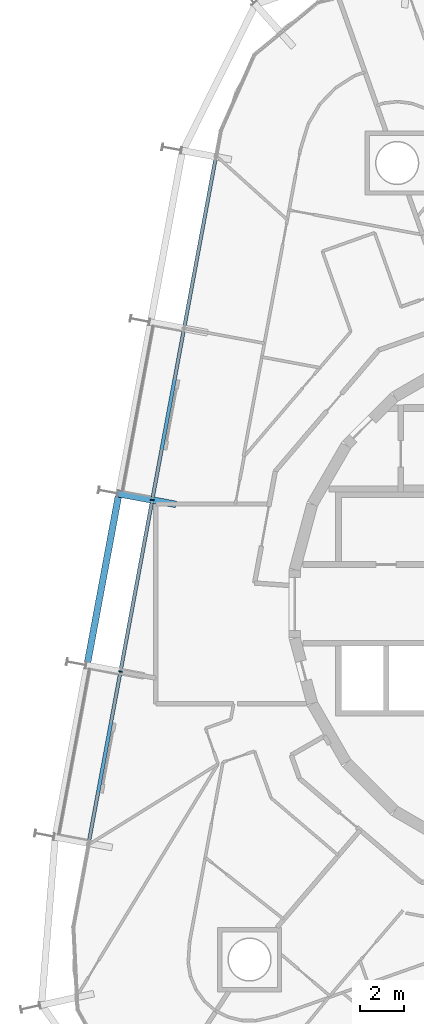
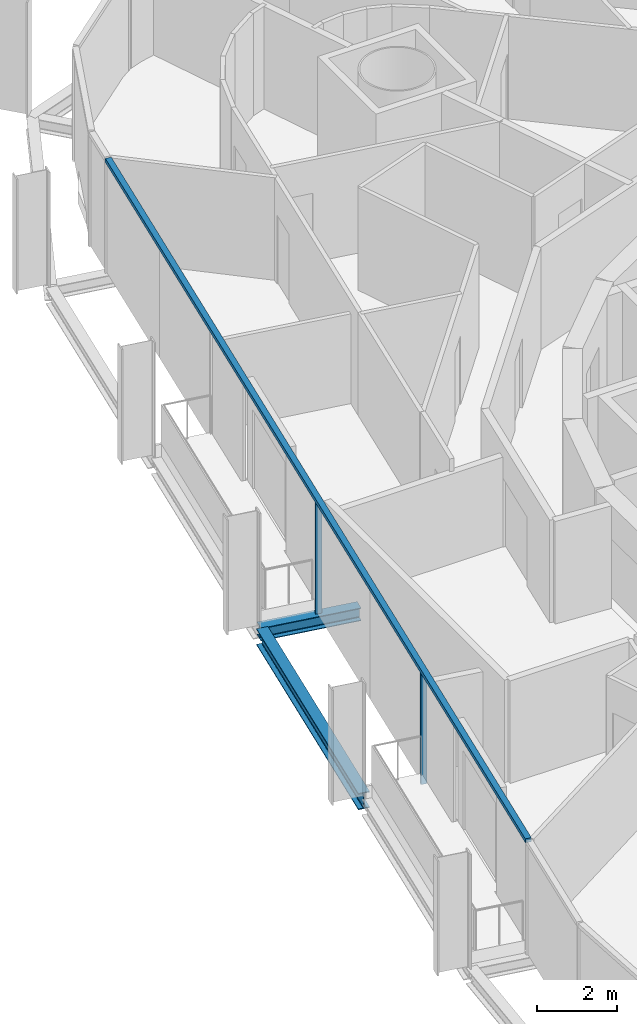
# One storey, part 4 of 17: 3 members, 2 beams, 1 element without a shape of its own.
"""IFC4 building model written with IfcOpenShell, lengths in metres."""

from ifc_helpers import new_model, si_unit, direction, frame, origin, origin_2d, place, context, subcontext, project, spatial, rectangle, i_section, extrude, material, layer, layer_set, material_profile, profile_set, type_object, element, aggregate, save


model = new_model("IFC4")

# Units and contexts
model_context = context("Model", 3, precision=1e-05, world=origin(), true_north=direction((0.0, 1.0)))
body_context = subcontext(model_context, "Body", "Model", "MODEL_VIEW")
ifc_project = project(units=[si_unit("LENGTHUNIT", "METRE"), si_unit("AREAUNIT", "SQUARE_METRE"), si_unit("VOLUMEUNIT", "CUBIC_METRE"), si_unit("PLANEANGLEUNIT", "RADIAN"), si_unit("MASSUNIT", "GRAM", prefix="KILO")], contexts=[model_context])

# Site, building, storey
site_placement = place(None, origin())
site = spatial("IfcSite", under=ifc_project, at=site_placement, CompositionType="ELEMENT")
building_placement = place(site_placement, origin())
building = spatial("IfcBuilding", under=site, at=building_placement, Name="Spindle Arch Residences", CompositionType="ELEMENT")
storey_placement = place(building_placement, frame((0.0, 0.0, 162.199951171875)))
storey = spatial("IfcBuildingStorey", under=building, at=storey_placement, Name="L40", CompositionType="ELEMENT", Elevation=162.199951171875)

# Curtain wall, members
ifc_material_1 = material(Name="Aluminium bronze unitised frame with tinted glass", Category="aluminium")
ifc_layer = layer(ifc_material_1, 0.159912109375)
ifc_layer_set = layer_set([ifc_layer], Name="CW-C typical residential unitised wall")
curtain_wall_type = type_object("IfcCurtainWallType", Name="CW-C typical residential unitised wall", PredefinedType="NOTDEFINED", material=ifc_layer_set)
curtain_wall_placement = place(storey_placement, origin())
curtain_wall = element("IfcCurtainWall", 1, at=curtain_wall_placement, inside=storey, type_object=curtain_wall_type, Name="CW-C L40 run 4", PredefinedType="NOTDEFINED")
ifc_material_2 = material(Name="Aluminium bronze anodised mullion", Category="aluminium")
ifc_material_profile_1 = material_profile(ifc_material_2, rectangle(XDim=0.159912109375, YDim=0.06005859375, at=origin_2d()), Name="MU 60x160")
ifc_profile_set_1 = profile_set([ifc_material_profile_1], Name="Aluminium bronze anodised mullion")
member_type_1 = type_object("IfcMemberType", Name="Bronze mullion 60x160", PredefinedType="MULLION", material=ifc_profile_set_1)
member_1_placement = place(storey_placement, frame((-18.0625, 4.679931640625, -0.3798828125), z_axis=(0.0, 0.0, 1.0), x_axis=(0.983254907564, -0.182235525492, 0.0)))
member_1 = element("IfcMember", 2, at=member_1_placement, type_object=member_type_1, Name="CW-C mullion 14", PredefinedType="MULLION", context=body_context, shape_type="SweptSolid", body=[
    extrude(rectangle(XDim=0.159912109375, YDim=0.06005859375, at=origin_2d()), origin(), (0.0, 0.0, 1.0), 3.3798828125),
])
member_2_placement = place(storey_placement, frame((-19.494873046875, -3.04833984375, -0.3798828125), z_axis=(0.0, 0.0, 1.0), x_axis=(0.983254907564, -0.182235525492, 0.0)))
member_2 = element("IfcMember", 3, at=member_2_placement, type_object=member_type_1, Name="CW-C mullion 15", PredefinedType="MULLION", context=body_context, shape_type="SweptSolid", body=[
    extrude(rectangle(XDim=0.159912109375, YDim=0.06005859375, at=origin_2d()), origin(), (0.0, 0.0, 1.0), 3.3798828125),
])
ifc_material_3 = material(Name="Aluminium bronze anodised transom", Category="aluminium")
ifc_material_profile_2 = material_profile(ifc_material_3, rectangle(XDim=0.159912109375, YDim=0.1201171875, at=origin_2d()), Name="TR 120x160")
ifc_profile_set_2 = profile_set([ifc_material_profile_2], Name="Aluminium bronze anodised transom")
member_type_2 = type_object("IfcMemberType", Name="Bronze transom 120x160", PredefinedType="USERDEFINED", material=ifc_profile_set_2)
member_3_placement = place(storey_placement, frame((-15.203125, 20.107421875, 3.06005859375), z_axis=(-0.182240536166, -0.983253978877, 0.0), x_axis=(0.983253978877, -0.182240536166, 0.0)))
member_3 = element("IfcMember", 4, at=member_3_placement, type_object=member_type_2, Name="CW-C transom 00", ObjectType="TRANSOM", PredefinedType="USERDEFINED", context=body_context, shape_type="SweptSolid", body=[
    extrude(rectangle(XDim=0.159912109375, YDim=0.1201171875, at=origin_2d()), origin(), (0.0, 0.0, 1.0), 31.380126953125),
])
aggregate(curtain_wall, [member_3, member_1, member_2])

# Beams
ifc_material_4 = material(Name="Steel S460ML, intumescent coating R 120", Category="steel")
ifc_material_profile_3 = material_profile(ifc_material_4, i_section(OverallWidth=0.300048828125, OverallDepth=0.5, WebThickness=0.014404296875, FlangeThickness=0.028076171875, FilletRadius=0.027099609375, at=origin_2d()), Name="HEB 500")
ifc_profile_set_3 = profile_set([ifc_material_profile_3], Name="Steel S460ML, intumescent coating R 120")
beam_type_1 = type_object("IfcBeamType", Name="Exoskeleton edge beam HEB 500", PredefinedType="BEAM", material=ifc_profile_set_3)
beam_1_placement = place(storey_placement, frame((-19.590576171875, 4.8310546875, -0.6298828125), z_axis=(-0.182234195466, -0.983255154069, 0.0), x_axis=(0.983255154069, -0.182234195466, 0.0)))
element("IfcBeam", 5, at=beam_1_placement, inside=storey, type_object=beam_type_1, Name="Exoskeleton edge beam 15", PredefinedType="BEAM", context=body_context, shape_type="SweptSolid", body=[
    extrude(i_section(OverallWidth=0.300048828125, OverallDepth=0.5, WebThickness=0.014404296875, FlangeThickness=0.028076171875, FilletRadius=0.027099609375, at=origin_2d()), origin(), (0.0, 0.0, 1.0), 7.60009765625),
])
ifc_material_5 = material(Name="Steel S460ML, intumescent coating R 120", Category="steel")
ifc_material_profile_4 = material_profile(ifc_material_5, i_section(OverallWidth=0.300048828125, OverallDepth=0.389892578125, WebThickness=0.010986328125, FlangeThickness=0.01904296875, FilletRadius=0.027099609375, at=origin_2d()), Name="HEA 400")
ifc_profile_set_4 = profile_set([ifc_material_profile_4], Name="Steel S460ML, intumescent coating R 120")
beam_type_2 = type_object("IfcBeamType", Name="Floor outrigger HEA 400", PredefinedType="BEAM", material=ifc_profile_set_4)
beam_2_placement = place(storey_placement, frame((-19.606201171875, 4.966064453125, -0.574951171875), z_axis=(0.98325694826, -0.182224514537, 0.0), x_axis=(0.182224514537, 0.98325694826, 0.0)))
element("IfcBeam", 6, at=beam_2_placement, inside=storey, type_object=beam_type_2, Name="Floor outrigger 15", PredefinedType="BEAM", context=body_context, shape_type="SweptSolid", body=[
    extrude(i_section(OverallWidth=0.300048828125, OverallDepth=0.389892578125, WebThickness=0.010986328125, FlangeThickness=0.01904296875, FilletRadius=0.027099609375, at=origin_2d()), origin(), (0.0, 0.0, 1.0), 2.650146484375),
])

save(model, "model.ifc")
